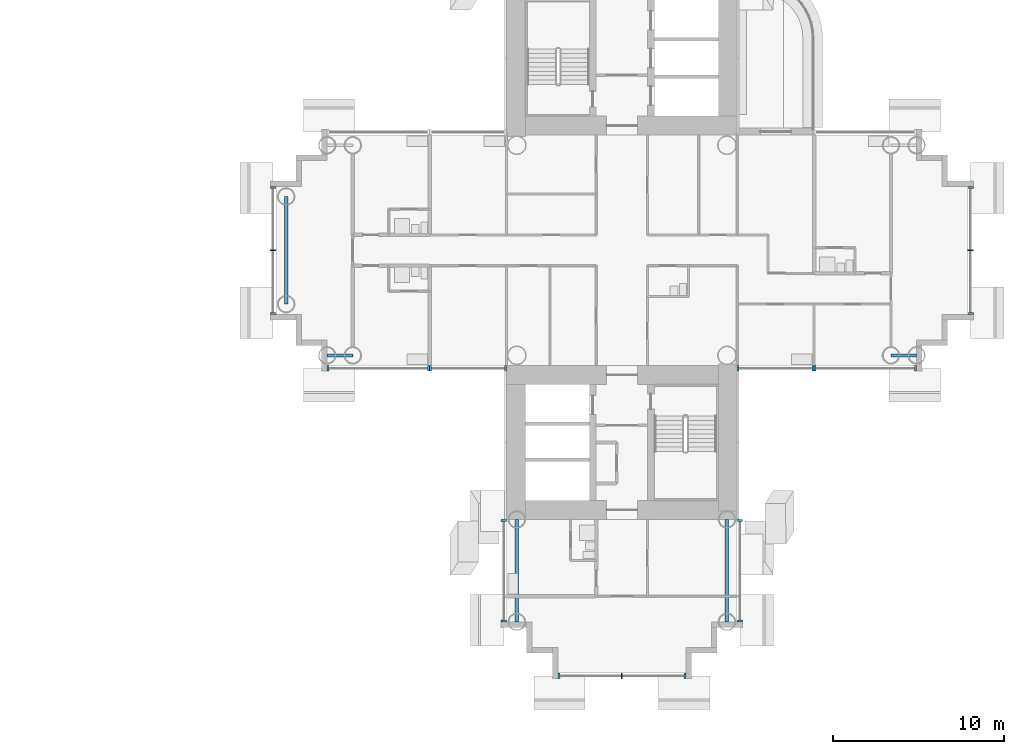
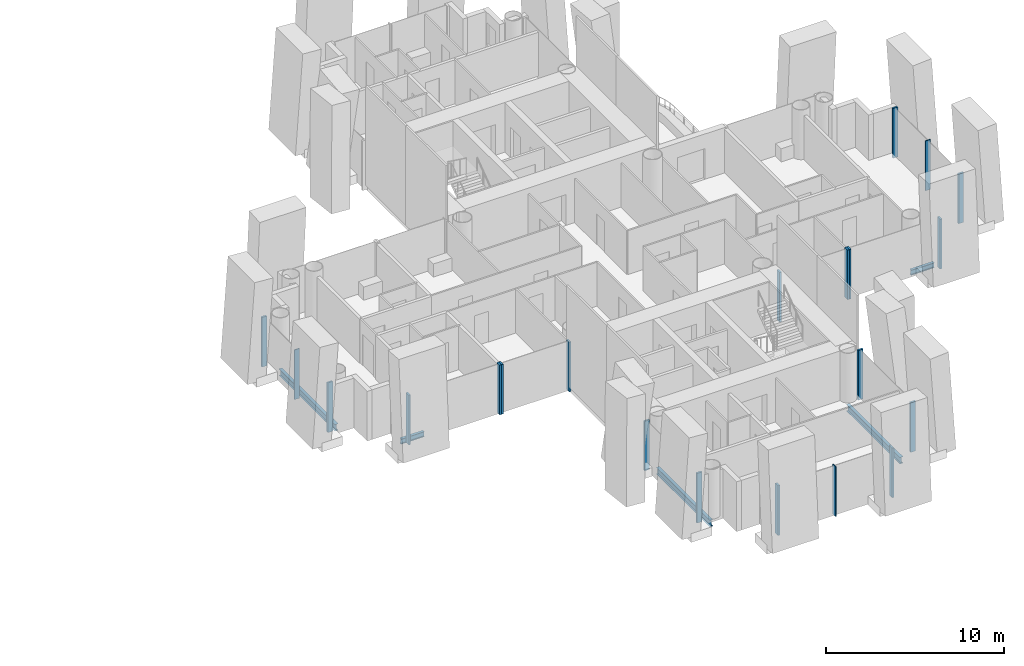
# One storey, part 6 of 24: 21 members, 5 beams, 9 elements without a shape of their own.
"""IFC4 building model written with IfcOpenShell, lengths in metres."""

from ifc_helpers import new_model, si_unit, direction, frame, origin, origin_2d, place, context, subcontext, project, spatial, rectangle, i_section, extrude, material, layer, layer_set, material_profile, profile_set, type_object, element, aggregate, save


model = new_model("IFC4")

# Units and contexts
model_context = context("Model", 3, precision=1e-05, world=origin(), true_north=direction((0.0, 1.0)))
body_context = subcontext(model_context, "Body", "Model", "MODEL_VIEW")
ifc_project = project(units=[si_unit("LENGTHUNIT", "METRE"), si_unit("AREAUNIT", "SQUARE_METRE"), si_unit("VOLUMEUNIT", "CUBIC_METRE"), si_unit("PLANEANGLEUNIT", "RADIAN"), si_unit("MASSUNIT", "GRAM", prefix="KILO")], contexts=[model_context])

# Site, building, storey
site_placement = place(None, origin())
site = spatial("IfcSite", under=ifc_project, at=site_placement, CompositionType="ELEMENT")
building_placement = place(site_placement, origin())
building = spatial("IfcBuilding", under=site, at=building_placement, Name="Ipe Terrace Towers", CompositionType="ELEMENT")
storey_placement = place(building_placement, frame((0.0, 0.0, 38.10009765625)))
storey = spatial("IfcBuildingStorey", under=building, at=storey_placement, Name="L09", CompositionType="ELEMENT", Elevation=38.10009765625)

# Beams
ifc_material_1 = material(Name="Steel S355", Category="steel")
ifc_material_profile_1 = material_profile(ifc_material_1, i_section(OverallWidth=0.175048828125, OverallDepth=0.35009765625, WebThickness=0.007080078125, FlangeThickness=0.010986328125, at=origin_2d()), Name="H-350x175x7x11")
ifc_profile_set_1 = profile_set([ifc_material_profile_1], Name="Steel S355")
beam_type_1 = type_object("IfcBeamType", Name="H04 EDGE BEAM H-350x175x7x11", PredefinedType="BEAM", material=ifc_profile_set_1)
for number, where, z_axis, x_axis, name in (
    (1, (20.25, -6.14990234375, -0.5751953125), (-1.0, 0.0, 0.0), (0.0, -1.0, 0.0), "Edge beam T2-EB-B04-B06"),
    (2, (51.75, -6.14990234375, -0.5751953125), (1.0, 0.0, 0.0), (0.0, 1.0, 0.0), "Edge beam T2-EB-D03-D05"),
):
    element("IfcBeam", number, at=place(storey_placement, frame(where, z_axis=z_axis, x_axis=x_axis)), inside=storey, type_object=beam_type_1, Name=name, PredefinedType="BEAM", context=body_context, shape_type="SweptSolid", body=[
        extrude(i_section(OverallWidth=0.175048828125, OverallDepth=0.35009765625, WebThickness=0.007080078125, FlangeThickness=0.010986328125, at=origin_2d()), origin(), (0.0, 0.0, 1.0), 1.5),
    ])
ifc_material_2 = material(Name="Steel S355", Category="steel")
ifc_material_profile_2 = material_profile(ifc_material_2, i_section(OverallWidth=0.199951171875, OverallDepth=0.449951171875, WebThickness=0.009033203125, FlangeThickness=0.013916015625, at=origin_2d()), Name="H-450x200x9x14")
ifc_profile_set_2 = profile_set([ifc_material_profile_2], Name="Steel S355")
beam_type_2 = type_object("IfcBeamType", Name="H08 EDGE BEAM H-450x200x9x14", PredefinedType="BEAM", material=ifc_profile_set_2)
beam_placement = place(storey_placement, frame((16.35009765625, 3.14990234375, -0.625), z_axis=(0.0, -1.0, 0.0), x_axis=(1.0, 0.0, 0.0)))
element("IfcBeam", 3, at=beam_placement, inside=storey, type_object=beam_type_2, Name="Edge beam T2-EB-B07-B08", PredefinedType="BEAM", context=body_context, shape_type="SweptSolid", body=[
    extrude(i_section(OverallWidth=0.199951171875, OverallDepth=0.449951171875, WebThickness=0.009033203125, FlangeThickness=0.013916015625, at=origin_2d()), origin(), (0.0, 0.0, 1.0), 6.2998046875),
])
for number, where, z_axis, x_axis, name in (
    (4, (42.14990234375, -15.75, -0.625), (0.0, -1.0, 0.0), (1.0, 0.0, 0.0), "Edge beam T2-EB-C01-C03"),
    (5, (29.85009765625, -15.75, -0.625), (0.0, -1.0, 0.0), (1.0, 0.0, 0.0), "Edge beam T2-EB-C02-C04"),
):
    element("IfcBeam", number, at=place(storey_placement, frame(where, z_axis=z_axis, x_axis=x_axis)), inside=storey, type_object=beam_type_2, Name=name, PredefinedType="BEAM", context=body_context, shape_type="SweptSolid", body=[
        extrude(i_section(OverallWidth=0.199951171875, OverallDepth=0.449951171875, WebThickness=0.009033203125, FlangeThickness=0.013916015625, at=origin_2d()), origin(), (0.0, 0.0, 1.0), 6.0),
    ])

# Curtain wall, members
ifc_material_3 = material(Name="Aluminium alloy 6063-T6", Category="aluminium")
ifc_layer = layer(ifc_material_3, 0.320068359375)
ifc_layer_set = layer_set([ifc_layer], Name="TOWER UNITISED CURTAIN WALL")
curtain_wall_type = type_object("IfcCurtainWallType", Name="TOWER UNITISED CURTAIN WALL", PredefinedType="NOTDEFINED", material=ifc_layer_set)
curtain_wall_1_placement = place(storey_placement, origin())
curtain_wall_1 = element("IfcCurtainWall", 6, at=curtain_wall_1_placement, inside=storey, type_object=curtain_wall_type, Name="T2-CW-L09-04a curtain wall", PredefinedType="NOTDEFINED")
ifc_material_4 = material(Name="Aluminium alloy 6063-T6", Category="aluminium")
ifc_material_profile_3 = material_profile(ifc_material_4, rectangle(XDim=0.320068359375, YDim=0.1201171875, at=origin_2d()), Name="TOWER UNITISED CORNER MULLION 320 x 120")
ifc_profile_set_3 = profile_set([ifc_material_profile_3], Name="Aluminium alloy 6063-T6")
member_type_1 = type_object("IfcMemberType", Name="TOWER UNITISED CORNER MULLION 320 x 120", PredefinedType="MULLION", material=ifc_profile_set_3)
member_1_placement = place(storey_placement, frame((42.909912109375, -21.68994140625, -0.300048828125), z_axis=(0.0, 0.0, 1.0), x_axis=(1.0, 0.0, 0.0)))
member_1 = element("IfcMember", 7, at=member_1_placement, type_object=member_type_1, Name="T2-CW-L09-04a mullion 1", PredefinedType="MULLION", context=body_context, shape_type="SweptSolid", body=[
    extrude(rectangle(XDim=0.320068359375, YDim=0.1201171875, at=origin_2d()), origin(), (0.0, 0.0, 1.0), 3.39990234375),
])
member_2_placement = place(storey_placement, frame((42.909912109375, -15.81103515625, -0.300048828125), z_axis=(0.0, 0.0, 1.0), x_axis=(1.0, 0.0, 0.0)))
member_2 = element("IfcMember", 8, at=member_2_placement, type_object=member_type_1, Name="T2-CW-L09-04a mullion 2", PredefinedType="MULLION", context=body_context, shape_type="SweptSolid", body=[
    extrude(rectangle(XDim=0.320068359375, YDim=0.1201171875, at=origin_2d()), origin(), (0.0, 0.0, 1.0), 3.39990234375),
])
aggregate(curtain_wall_1, [member_1, member_2])

curtain_wall_2_placement = place(storey_placement, origin())
curtain_wall_2 = element("IfcCurtainWall", 9, at=curtain_wall_2_placement, inside=storey, type_object=curtain_wall_type, Name="T2-CW-L09-06a curtain wall", PredefinedType="NOTDEFINED")
member_3_placement = place(storey_placement, frame((42.81005859375, -6.909912109375, -0.300048828125), z_axis=(0.0, 0.0, 1.0), x_axis=(0.0, -1.0, 0.0)))
member_3 = element("IfcMember", 10, at=member_3_placement, type_object=member_type_1, Name="T2-CW-L09-06a mullion 1", PredefinedType="MULLION", context=body_context, shape_type="SweptSolid", body=[
    extrude(rectangle(XDim=0.320068359375, YDim=0.1201171875, at=origin_2d()), origin(), (0.0, 0.0, 1.0), 3.39990234375),
])
member_4_placement = place(storey_placement, frame((47.18994140625, -6.909912109375, -0.300048828125), z_axis=(0.0, 0.0, 1.0), x_axis=(0.0, -1.0, 0.0)))
member_4 = element("IfcMember", 11, at=member_4_placement, type_object=member_type_1, Name="T2-CW-L09-06a mullion 2", PredefinedType="MULLION", context=body_context, shape_type="SweptSolid", body=[
    extrude(rectangle(XDim=0.320068359375, YDim=0.1201171875, at=origin_2d()), origin(), (0.0, 0.0, 1.0), 3.39990234375),
])
aggregate(curtain_wall_2, [member_3, member_4])

curtain_wall_3_placement = place(storey_placement, origin())
curtain_wall_3 = element("IfcCurtainWall", 12, at=curtain_wall_3_placement, inside=storey, type_object=curtain_wall_type, Name="T2-CW-L09-07a curtain wall", PredefinedType="NOTDEFINED")
member_5_placement = place(storey_placement, frame((47.31005859375, -6.909912109375, -0.300048828125), z_axis=(0.0, 0.0, 1.0), x_axis=(0.0, -1.0, 0.0)))
member_5 = element("IfcMember", 13, at=member_5_placement, type_object=member_type_1, Name="T2-CW-L09-07a mullion 1", PredefinedType="MULLION", context=body_context, shape_type="SweptSolid", body=[
    extrude(rectangle(XDim=0.320068359375, YDim=0.1201171875, at=origin_2d()), origin(), (0.0, 0.0, 1.0), 3.39990234375),
])
member_6_placement = place(storey_placement, frame((53.18994140625, -6.909912109375, -0.300048828125), z_axis=(0.0, 0.0, 1.0), x_axis=(0.0, -1.0, 0.0)))
member_6 = element("IfcMember", 14, at=member_6_placement, type_object=member_type_1, Name="T2-CW-L09-07a mullion 2", PredefinedType="MULLION", context=body_context, shape_type="SweptSolid", body=[
    extrude(rectangle(XDim=0.320068359375, YDim=0.1201171875, at=origin_2d()), origin(), (0.0, 0.0, 1.0), 3.39990234375),
])
aggregate(curtain_wall_3, [member_5, member_6])

curtain_wall_4_placement = place(storey_placement, origin())
curtain_wall_4 = element("IfcCurtainWall", 15, at=curtain_wall_4_placement, inside=storey, type_object=curtain_wall_type, Name="T2-CW-L09-12a curtain wall", PredefinedType="NOTDEFINED")
member_7_placement = place(storey_placement, frame((56.409912109375, -3.68994140625, -0.300048828125), z_axis=(0.0, 0.0, 1.0), x_axis=(1.0, 0.0, 0.0)))
member_7 = element("IfcMember", 16, at=member_7_placement, type_object=member_type_1, Name="T2-CW-L09-12a mullion 1", PredefinedType="MULLION", context=body_context, shape_type="SweptSolid", body=[
    extrude(rectangle(XDim=0.320068359375, YDim=0.1201171875, at=origin_2d()), origin(), (0.0, 0.0, 1.0), 3.39990234375),
])
member_8_placement = place(storey_placement, frame((56.409912109375, 3.68994140625, -0.300048828125), z_axis=(0.0, 0.0, 1.0), x_axis=(1.0, 0.0, 0.0)))
member_8 = element("IfcMember", 17, at=member_8_placement, type_object=member_type_1, Name="T2-CW-L09-12a mullion 3", PredefinedType="MULLION", context=body_context, shape_type="SweptSolid", body=[
    extrude(rectangle(XDim=0.320068359375, YDim=0.1201171875, at=origin_2d()), origin(), (0.0, 0.0, 1.0), 3.39990234375),
])

curtain_wall_5_placement = place(storey_placement, origin())
curtain_wall_5 = element("IfcCurtainWall", 18, at=curtain_wall_5_placement, inside=storey, type_object=curtain_wall_type, Name="T2-CW-L09-38a curtain wall", PredefinedType="NOTDEFINED")
member_9_placement = place(storey_placement, frame((15.590087890625, 3.68994140625, -0.300048828125), z_axis=(0.0, 0.0, 1.0), x_axis=(-1.0, 0.0, 0.0)))
member_9 = element("IfcMember", 19, at=member_9_placement, type_object=member_type_1, Name="T2-CW-L09-38a mullion 1", PredefinedType="MULLION", context=body_context, shape_type="SweptSolid", body=[
    extrude(rectangle(XDim=0.320068359375, YDim=0.1201171875, at=origin_2d()), origin(), (0.0, 0.0, 1.0), 3.39990234375),
])
member_10_placement = place(storey_placement, frame((15.590087890625, -3.68994140625, -0.300048828125), z_axis=(0.0, 0.0, 1.0), x_axis=(-1.0, 0.0, 0.0)))
member_10 = element("IfcMember", 20, at=member_10_placement, type_object=member_type_1, Name="T2-CW-L09-38a mullion 3", PredefinedType="MULLION", context=body_context, shape_type="SweptSolid", body=[
    extrude(rectangle(XDim=0.320068359375, YDim=0.1201171875, at=origin_2d()), origin(), (0.0, 0.0, 1.0), 3.39990234375),
])

curtain_wall_6_placement = place(storey_placement, origin())
curtain_wall_6 = element("IfcCurtainWall", 21, at=curtain_wall_6_placement, inside=storey, type_object=curtain_wall_type, Name="T2-CW-L09-43a curtain wall", PredefinedType="NOTDEFINED")
member_11_placement = place(storey_placement, frame((18.81005859375, -6.909912109375, -0.300048828125), z_axis=(0.0, 0.0, 1.0), x_axis=(0.0, -1.0, 0.0)))
member_11 = element("IfcMember", 22, at=member_11_placement, type_object=member_type_1, Name="T2-CW-L09-43a mullion 1", PredefinedType="MULLION", context=body_context, shape_type="SweptSolid", body=[
    extrude(rectangle(XDim=0.320068359375, YDim=0.1201171875, at=origin_2d()), origin(), (0.0, 0.0, 1.0), 3.39990234375),
])
member_12_placement = place(storey_placement, frame((24.68994140625, -6.909912109375, -0.300048828125), z_axis=(0.0, 0.0, 1.0), x_axis=(0.0, -1.0, 0.0)))
member_12 = element("IfcMember", 23, at=member_12_placement, type_object=member_type_1, Name="T2-CW-L09-43a mullion 2", PredefinedType="MULLION", context=body_context, shape_type="SweptSolid", body=[
    extrude(rectangle(XDim=0.320068359375, YDim=0.1201171875, at=origin_2d()), origin(), (0.0, 0.0, 1.0), 3.39990234375),
])
aggregate(curtain_wall_6, [member_11, member_12])

curtain_wall_7_placement = place(storey_placement, origin())
curtain_wall_7 = element("IfcCurtainWall", 24, at=curtain_wall_7_placement, inside=storey, type_object=curtain_wall_type, Name="T2-CW-L09-44a curtain wall", PredefinedType="NOTDEFINED")
member_13_placement = place(storey_placement, frame((24.81005859375, -6.909912109375, -0.300048828125), z_axis=(0.0, 0.0, 1.0), x_axis=(0.0, -1.0, 0.0)))
member_13 = element("IfcMember", 25, at=member_13_placement, type_object=member_type_1, Name="T2-CW-L09-44a mullion 1", PredefinedType="MULLION", context=body_context, shape_type="SweptSolid", body=[
    extrude(rectangle(XDim=0.320068359375, YDim=0.1201171875, at=origin_2d()), origin(), (0.0, 0.0, 1.0), 3.39990234375),
])
member_14_placement = place(storey_placement, frame((29.18994140625, -6.909912109375, -0.300048828125), z_axis=(0.0, 0.0, 1.0), x_axis=(0.0, -1.0, 0.0)))
member_14 = element("IfcMember", 26, at=member_14_placement, type_object=member_type_1, Name="T2-CW-L09-44a mullion 2", PredefinedType="MULLION", context=body_context, shape_type="SweptSolid", body=[
    extrude(rectangle(XDim=0.320068359375, YDim=0.1201171875, at=origin_2d()), origin(), (0.0, 0.0, 1.0), 3.39990234375),
])
aggregate(curtain_wall_7, [member_13, member_14])

curtain_wall_8_placement = place(storey_placement, origin())
curtain_wall_8 = element("IfcCurtainWall", 27, at=curtain_wall_8_placement, inside=storey, type_object=curtain_wall_type, Name="T2-CW-L09-46b curtain wall", PredefinedType="NOTDEFINED")
member_15_placement = place(storey_placement, frame((29.090087890625, -15.81103515625, -0.300048828125), z_axis=(0.0, 0.0, 1.0), x_axis=(-1.0, 0.0, 0.0)))
member_15 = element("IfcMember", 28, at=member_15_placement, type_object=member_type_1, Name="T2-CW-L09-46b mullion 1", PredefinedType="MULLION", context=body_context, shape_type="SweptSolid", body=[
    extrude(rectangle(XDim=0.320068359375, YDim=0.1201171875, at=origin_2d()), origin(), (0.0, 0.0, 1.0), 3.39990234375),
])
member_16_placement = place(storey_placement, frame((29.090087890625, -21.68994140625, -0.300048828125), z_axis=(0.0, 0.0, 1.0), x_axis=(-1.0, 0.0, 0.0)))
member_16 = element("IfcMember", 29, at=member_16_placement, type_object=member_type_1, Name="T2-CW-L09-46b mullion 2", PredefinedType="MULLION", context=body_context, shape_type="SweptSolid", body=[
    extrude(rectangle(XDim=0.320068359375, YDim=0.1201171875, at=origin_2d()), origin(), (0.0, 0.0, 1.0), 3.39990234375),
])
aggregate(curtain_wall_8, [member_15, member_16])

curtain_wall_9_placement = place(storey_placement, origin())
curtain_wall_9 = element("IfcCurtainWall", 30, at=curtain_wall_9_placement, inside=storey, type_object=curtain_wall_type, Name="T2-CW-L09-51a curtain wall", PredefinedType="NOTDEFINED")
member_17_placement = place(storey_placement, frame((32.31005859375, -24.909912109375, -0.300048828125), z_axis=(0.0, 0.0, 1.0), x_axis=(0.0, -1.0, 0.0)))
member_17 = element("IfcMember", 31, at=member_17_placement, type_object=member_type_1, Name="T2-CW-L09-51a mullion 1", PredefinedType="MULLION", context=body_context, shape_type="SweptSolid", body=[
    extrude(rectangle(XDim=0.320068359375, YDim=0.1201171875, at=origin_2d()), origin(), (0.0, 0.0, 1.0), 3.39990234375),
])
member_18_placement = place(storey_placement, frame((39.68994140625, -24.909912109375, -0.300048828125), z_axis=(0.0, 0.0, 1.0), x_axis=(0.0, -1.0, 0.0)))
member_18 = element("IfcMember", 32, at=member_18_placement, type_object=member_type_1, Name="T2-CW-L09-51a mullion 3", PredefinedType="MULLION", context=body_context, shape_type="SweptSolid", body=[
    extrude(rectangle(XDim=0.320068359375, YDim=0.1201171875, at=origin_2d()), origin(), (0.0, 0.0, 1.0), 3.39990234375),
])

# Member
ifc_material_5 = material(Name="Aluminium alloy 6063-T6", Category="aluminium")
ifc_material_profile_4 = material_profile(ifc_material_5, rectangle(XDim=0.320068359375, YDim=0.06494140625, at=origin_2d()), Name="TOWER UNITISED MULLION 320 x 65")
ifc_profile_set_4 = profile_set([ifc_material_profile_4], Name="Aluminium alloy 6063-T6")
member_type_2 = type_object("IfcMemberType", Name="TOWER UNITISED MULLION 320 x 65", PredefinedType="MULLION", material=ifc_profile_set_4)
member_19_placement = place(storey_placement, frame((56.409912109375, 0.0, -0.300048828125), z_axis=(0.0, 0.0, 1.0), x_axis=(1.0, 0.0, 0.0)))
member_19 = element("IfcMember", 33, at=member_19_placement, type_object=member_type_2, Name="T2-CW-L09-12a mullion 2", PredefinedType="MULLION", context=body_context, shape_type="SweptSolid", body=[
    extrude(rectangle(XDim=0.320068359375, YDim=0.06494140625, at=origin_2d()), origin(), (0.0, 0.0, 1.0), 3.39990234375),
])

aggregate(curtain_wall_4, [member_7, member_19, member_8])

member_20_placement = place(storey_placement, frame((15.590087890625, 0.0, -0.300048828125), z_axis=(0.0, 0.0, 1.0), x_axis=(-1.0, 0.0, 0.0)))
member_20 = element("IfcMember", 34, at=member_20_placement, type_object=member_type_2, Name="T2-CW-L09-38a mullion 2", PredefinedType="MULLION", context=body_context, shape_type="SweptSolid", body=[
    extrude(rectangle(XDim=0.320068359375, YDim=0.06494140625, at=origin_2d()), origin(), (0.0, 0.0, 1.0), 3.39990234375),
])

aggregate(curtain_wall_5, [member_9, member_20, member_10])

member_21_placement = place(storey_placement, frame((36.0, -24.909912109375, -0.300048828125), z_axis=(0.0, 0.0, 1.0), x_axis=(0.0, -1.0, 0.0)))
member_21 = element("IfcMember", 35, at=member_21_placement, type_object=member_type_2, Name="T2-CW-L09-51a mullion 2", PredefinedType="MULLION", context=body_context, shape_type="SweptSolid", body=[
    extrude(rectangle(XDim=0.320068359375, YDim=0.06494140625, at=origin_2d()), origin(), (0.0, 0.0, 1.0), 3.39990234375),
])

aggregate(curtain_wall_9, [member_17, member_21, member_18])

save(model, "model.ifc")
